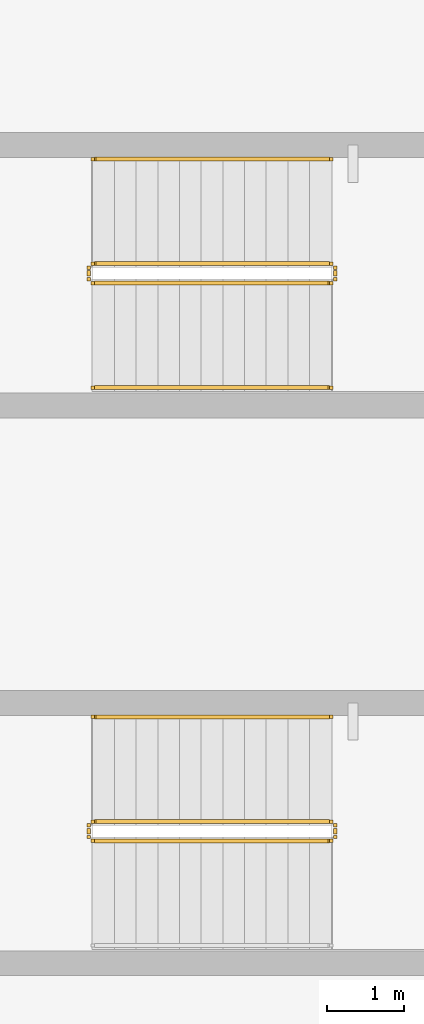
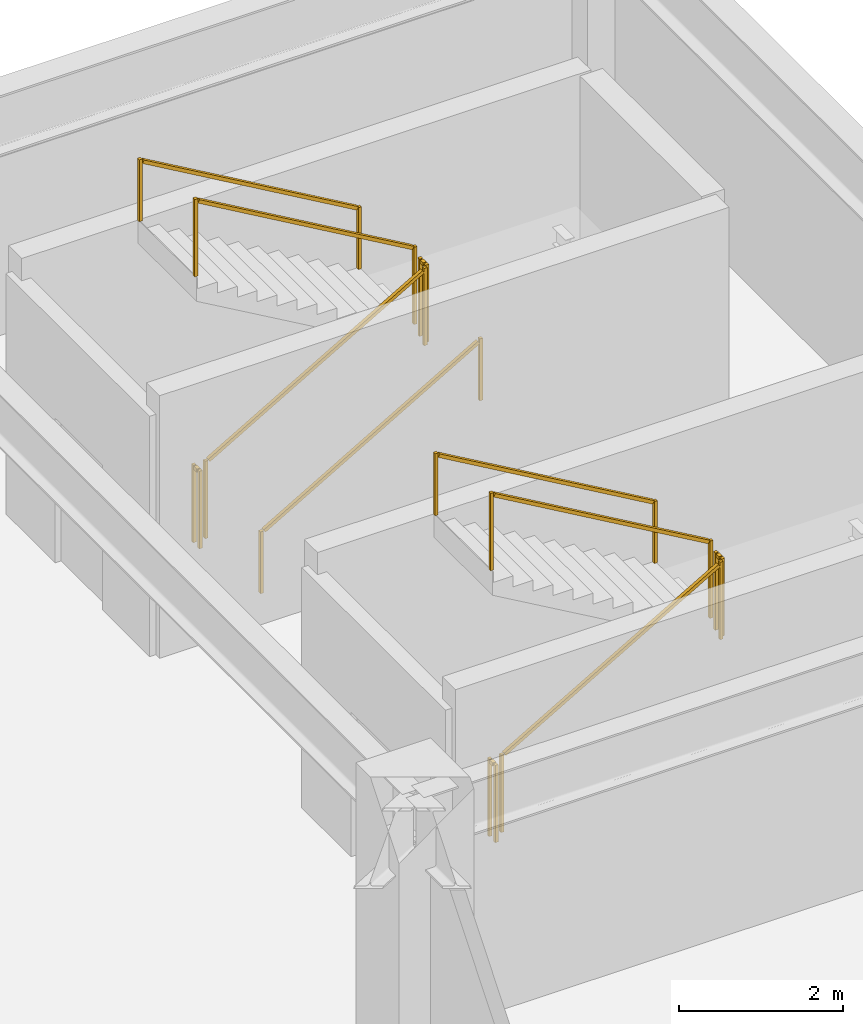
# One storey, part 15 of 15: 11 railings.
"""IFC4 building model written with IfcOpenShell, lengths in metres."""

from ifc_helpers import new_model, si_unit, direction, frame, origin, origin_2d, place, context, subcontext, project, spatial, rectangle, extrude, material, type_object, element, save


model = new_model("IFC4")

# Units and contexts
model_context = context("Model", 3, precision=1e-05, world=origin(), true_north=direction((0.0, 1.0)))
body_context = subcontext(model_context, "Body", "Model", "MODEL_VIEW")
ifc_project = project(units=[si_unit("LENGTHUNIT", "METRE"), si_unit("AREAUNIT", "SQUARE_METRE"), si_unit("VOLUMEUNIT", "CUBIC_METRE"), si_unit("PLANEANGLEUNIT", "RADIAN"), si_unit("MASSUNIT", "GRAM", prefix="KILO")], contexts=[model_context])

# Site, building, storey
site_placement = place(None, origin())
site = spatial("IfcSite", under=ifc_project, at=site_placement, CompositionType="ELEMENT")
building_placement = place(site_placement, origin())
building = spatial("IfcBuilding", under=site, at=building_placement, Name="Yunling Apex Tower", CompositionType="ELEMENT")
storey_placement = place(building_placement, frame((0.0, 0.0, 8.39990234375)))
storey = spatial("IfcBuildingStorey", under=building, at=storey_placement, Name="L03", CompositionType="ELEMENT", Elevation=8.39990234375)

# Railings
ifc_material_1 = material(Name="Steel Q355B", Category="steel")
railing_type_1 = type_object("IfcRailingType", Name="RL-GRD-1150", PredefinedType="GUARDRAIL", material=ifc_material_1)
railing_1_placement = place(storey_placement, frame((25.35009765625, 17.0, 0.16259765625)))
element("IfcRailing", 1, at=railing_1_placement, inside=storey, type_object=railing_type_1, Name="L03 ST-P2 stair guard 1", PredefinedType="GUARDRAIL", context=body_context, shape_type="SweptSolid", body=[
    extrude(rectangle(XDim=0.0439453125, YDim=0.0439453125, at=origin_2d()), origin(), (0.0, 0.0, 1.0), 1.14990234375),
    extrude(rectangle(XDim=0.0439453125, YDim=0.0439453125, at=origin_2d()), frame((3.079833984375, 0.0, 1.78759765625)), (0.0, 0.0, 1.0), 1.14990234375),
    extrude(rectangle(XDim=0.050048828125, YDim=0.050048828125, at=origin_2d()), frame((0.033203125, 0.0, 1.14404296875), z_axis=(0.864873446163, 0.0, 0.501989962173), x_axis=(0.0, 1.0, 0.0)), (0.0, 0.0, 1.0), 3.484375),
])
railing_2_placement = place(storey_placement, frame((28.47998046875, 17.050048828125, 1.9501953125)))
element("IfcRailing", 2, at=railing_2_placement, inside=storey, type_object=railing_type_1, Name="L03 ST-P2 stair guard 2", PredefinedType="GUARDRAIL", context=body_context, shape_type="SweptSolid", body=[
    extrude(rectangle(XDim=0.0439453125, YDim=0.0439453125, at=origin_2d()), origin(), (0.0, 0.0, 1.0), 1.14990234375),
    extrude(rectangle(XDim=0.0439453125, YDim=0.0439453125, at=origin_2d()), frame((0.0, 0.14990234375, 0.0)), (0.0, 0.0, 1.0), 1.14990234375),
    extrude(rectangle(XDim=0.050048828125, YDim=0.050048828125, at=origin_2d()), frame((0.0, 0.038330078125, 1.125), z_axis=(0.0, 1.0, 0.0), x_axis=(-1.0, 0.0, 0.0)), (0.0, 0.0, 1.0), 0.0732421875),
])
railing_3_placement = place(storey_placement, frame((28.429931640625, 17.25, 2.112548828125)))
element("IfcRailing", 3, at=railing_3_placement, inside=storey, type_object=railing_type_1, Name="L03 ST-P2 stair guard 3", PredefinedType="GUARDRAIL", context=body_context, shape_type="SweptSolid", body=[
    extrude(rectangle(XDim=0.0439453125, YDim=0.0439453125, at=origin_2d()), origin(), (0.0, 0.0, 1.0), 1.14990234375),
    extrude(rectangle(XDim=0.0439453125, YDim=0.0439453125, at=origin_2d()), frame((-3.079833984375, 0.0, 1.78759765625)), (0.0, 0.0, 1.0), 1.14990234375),
    extrude(rectangle(XDim=0.050048828125, YDim=0.050048828125, at=origin_2d()), frame((-0.033203125, 0.0, 1.14404296875), z_axis=(-0.864873446163, 0.0, 0.501989962173), x_axis=(0.0, -1.0, 0.0)), (0.0, 0.0, 1.0), 3.484375),
])
railing_4_placement = place(storey_placement, frame((25.300048828125, 17.050048828125, 0.0)))
element("IfcRailing", 4, at=railing_4_placement, inside=storey, type_object=railing_type_1, Name="L03 ST-P2 stair guard 4", PredefinedType="GUARDRAIL", context=body_context, shape_type="SweptSolid", body=[
    extrude(rectangle(XDim=0.0439453125, YDim=0.0439453125, at=origin_2d()), origin(), (0.0, 0.0, 1.0), 1.14990234375),
    extrude(rectangle(XDim=0.0439453125, YDim=0.0439453125, at=origin_2d()), frame((0.0, 0.14990234375, 0.0)), (0.0, 0.0, 1.0), 1.14990234375),
    extrude(rectangle(XDim=0.050048828125, YDim=0.050048828125, at=origin_2d()), frame((0.0, 0.038330078125, 1.125), z_axis=(0.0, 1.0, 0.0), x_axis=(-1.0, 0.0, 0.0)), (0.0, 0.0, 1.0), 0.0732421875),
])
railing_5_placement = place(storey_placement, frame((25.35009765625, 24.199951171875, 0.16259765625)))
element("IfcRailing", 5, at=railing_5_placement, inside=storey, type_object=railing_type_1, Name="L03 ST-G2 stair guard 1", PredefinedType="GUARDRAIL", context=body_context, shape_type="SweptSolid", body=[
    extrude(rectangle(XDim=0.0439453125, YDim=0.0439453125, at=origin_2d()), origin(), (0.0, 0.0, 1.0), 1.14990234375),
    extrude(rectangle(XDim=0.0439453125, YDim=0.0439453125, at=origin_2d()), frame((3.079833984375, 0.0, 1.78759765625)), (0.0, 0.0, 1.0), 1.14990234375),
    extrude(rectangle(XDim=0.050048828125, YDim=0.050048828125, at=origin_2d()), frame((0.033203125, 0.0, 1.14404296875), z_axis=(0.864873446163, 0.0, 0.501989962173), x_axis=(0.0, 1.0, 0.0)), (0.0, 0.0, 1.0), 3.484375),
])
railing_6_placement = place(storey_placement, frame((28.47998046875, 24.25, 1.9501953125)))
element("IfcRailing", 6, at=railing_6_placement, inside=storey, type_object=railing_type_1, Name="L03 ST-G2 stair guard 2", PredefinedType="GUARDRAIL", context=body_context, shape_type="SweptSolid", body=[
    extrude(rectangle(XDim=0.0439453125, YDim=0.0439453125, at=origin_2d()), origin(), (0.0, 0.0, 1.0), 1.14990234375),
    extrude(rectangle(XDim=0.0439453125, YDim=0.0439453125, at=origin_2d()), frame((0.0, 0.14990234375, 0.0)), (0.0, 0.0, 1.0), 1.14990234375),
    extrude(rectangle(XDim=0.050048828125, YDim=0.050048828125, at=origin_2d()), frame((0.0, 0.038330078125, 1.125), z_axis=(0.0, 1.0, 0.0), x_axis=(-1.0, 0.0, 0.0)), (0.0, 0.0, 1.0), 0.0732421875),
])
railing_7_placement = place(storey_placement, frame((28.429931640625, 24.449951171875, 2.112548828125)))
element("IfcRailing", 7, at=railing_7_placement, inside=storey, type_object=railing_type_1, Name="L03 ST-G2 stair guard 3", PredefinedType="GUARDRAIL", context=body_context, shape_type="SweptSolid", body=[
    extrude(rectangle(XDim=0.0439453125, YDim=0.0439453125, at=origin_2d()), origin(), (0.0, 0.0, 1.0), 1.14990234375),
    extrude(rectangle(XDim=0.0439453125, YDim=0.0439453125, at=origin_2d()), frame((-3.079833984375, 0.0, 1.78759765625)), (0.0, 0.0, 1.0), 1.14990234375),
    extrude(rectangle(XDim=0.050048828125, YDim=0.050048828125, at=origin_2d()), frame((-0.033203125, 0.0, 1.14404296875), z_axis=(-0.864873446163, 0.0, 0.501989962173), x_axis=(0.0, -1.0, 0.0)), (0.0, 0.0, 1.0), 3.484375),
])
railing_8_placement = place(storey_placement, frame((25.300048828125, 24.25, 0.0)))
element("IfcRailing", 8, at=railing_8_placement, inside=storey, type_object=railing_type_1, Name="L03 ST-G2 stair guard 4", PredefinedType="GUARDRAIL", context=body_context, shape_type="SweptSolid", body=[
    extrude(rectangle(XDim=0.0439453125, YDim=0.0439453125, at=origin_2d()), origin(), (0.0, 0.0, 1.0), 1.14990234375),
    extrude(rectangle(XDim=0.0439453125, YDim=0.0439453125, at=origin_2d()), frame((0.0, 0.14990234375, 0.0)), (0.0, 0.0, 1.0), 1.14990234375),
    extrude(rectangle(XDim=0.050048828125, YDim=0.050048828125, at=origin_2d()), frame((0.0, 0.038330078125, 1.125), z_axis=(0.0, 1.0, 0.0), x_axis=(-1.0, 0.0, 0.0)), (0.0, 0.0, 1.0), 0.0732421875),
])
ifc_material_2 = material(Name="Silver anodised aluminium", Category="aluminium")
railing_type_2 = type_object("IfcRailingType", Name="RL-HND-900", PredefinedType="HANDRAIL", material=ifc_material_2)
railing_9_placement = place(storey_placement, frame((28.429931640625, 18.60009765625, 2.112548828125)))
element("IfcRailing", 9, at=railing_9_placement, inside=storey, type_object=railing_type_2, Name="L03 ST-P2 stair handrail 2", PredefinedType="HANDRAIL", context=body_context, shape_type="SweptSolid", body=[
    extrude(rectangle(XDim=0.0439453125, YDim=0.0439453125, at=origin_2d()), origin(), (0.0, 0.0, 1.0), 0.919921875),
    extrude(rectangle(XDim=0.0439453125, YDim=0.0439453125, at=origin_2d()), frame((-3.079833984375, 0.0, 1.78759765625)), (0.0, 0.0, 1.0), 0.919921875),
    extrude(rectangle(XDim=0.050048828125, YDim=0.050048828125, at=origin_2d()), frame((-0.033203125, 0.0, 0.9140625), z_axis=(-0.864873446163, 0.0, 0.501989962173), x_axis=(0.0, -1.0, 0.0)), (0.0, 0.0, 1.0), 3.484375),
])
railing_10_placement = place(storey_placement, frame((25.35009765625, 22.85009765625, 0.16259765625)))
element("IfcRailing", 10, at=railing_10_placement, inside=storey, type_object=railing_type_2, Name="L03 ST-G2 stair handrail 1", PredefinedType="HANDRAIL", context=body_context, shape_type="SweptSolid", body=[
    extrude(rectangle(XDim=0.0439453125, YDim=0.0439453125, at=origin_2d()), origin(), (0.0, 0.0, 1.0), 0.919921875),
    extrude(rectangle(XDim=0.0439453125, YDim=0.0439453125, at=origin_2d()), frame((3.079833984375, 0.0, 1.78759765625)), (0.0, 0.0, 1.0), 0.919921875),
    extrude(rectangle(XDim=0.050048828125, YDim=0.050048828125, at=origin_2d()), frame((0.033203125, 0.0, 0.9140625), z_axis=(0.864873446163, 0.0, 0.501989962173), x_axis=(0.0, 1.0, 0.0)), (0.0, 0.0, 1.0), 3.484375),
])
railing_11_placement = place(storey_placement, frame((28.429931640625, 25.800048828125, 2.112548828125)))
element("IfcRailing", 11, at=railing_11_placement, inside=storey, type_object=railing_type_2, Name="L03 ST-G2 stair handrail 2", PredefinedType="HANDRAIL", context=body_context, shape_type="SweptSolid", body=[
    extrude(rectangle(XDim=0.0439453125, YDim=0.0439453125, at=origin_2d()), origin(), (0.0, 0.0, 1.0), 0.919921875),
    extrude(rectangle(XDim=0.0439453125, YDim=0.0439453125, at=origin_2d()), frame((-3.079833984375, 0.0, 1.78759765625)), (0.0, 0.0, 1.0), 0.919921875),
    extrude(rectangle(XDim=0.050048828125, YDim=0.050048828125, at=origin_2d()), frame((-0.033203125, 0.0, 0.9140625), z_axis=(-0.864873446163, 0.0, 0.501989962173), x_axis=(0.0, -1.0, 0.0)), (0.0, 0.0, 1.0), 3.484375),
])

save(model, "model.ifc")
